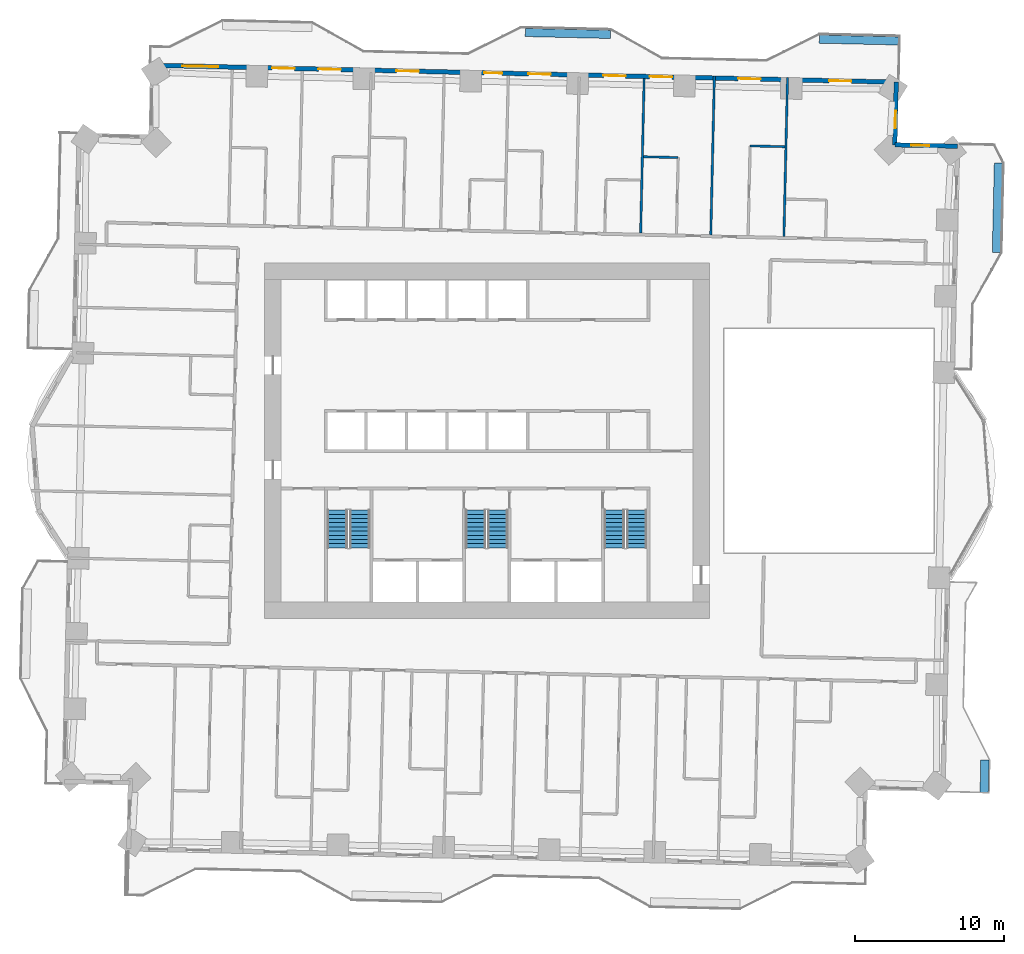
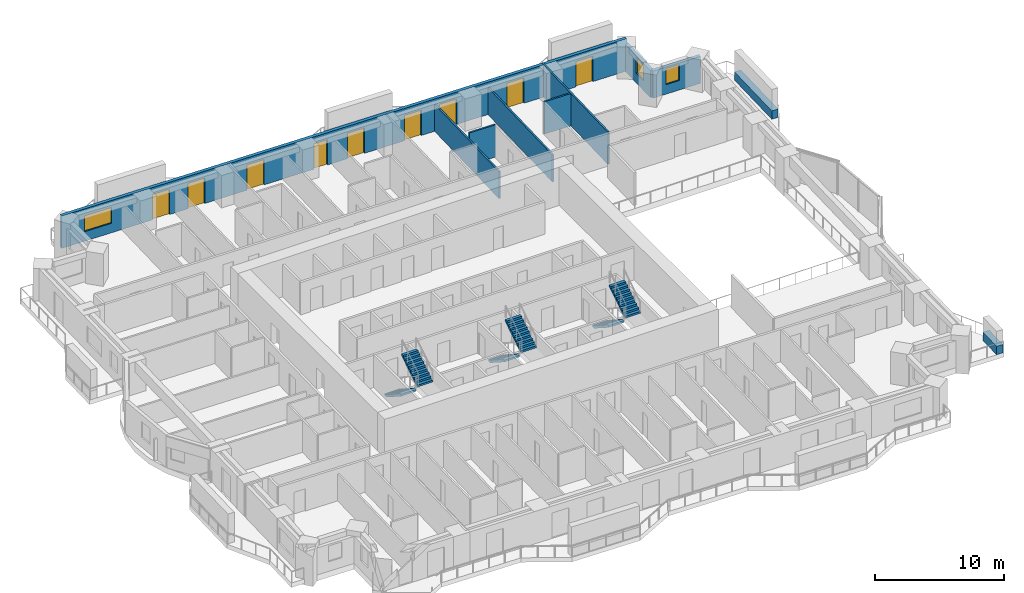
# One storey, part 13 of 18: 12 walls, 9 doors, 6 stair flights, 3 windows, 12 openings, 3 elements without a shape of their own.
"""IFC4 building model written with IfcOpenShell, lengths in metres."""

from ifc_helpers import new_model, si_unit, direction, frame, frame_2d, origin, place, context, subcontext, project, spatial, polyline, rectangle, outline, extrude, material, layer, layer_set, type_object, element, fill, aggregate, save


model = new_model("IFC4")

# Units and contexts
model_context = context("Model", 3, precision=1e-05, world=origin(), true_north=direction((0.0, 1.0)))
body_context = subcontext(model_context, "Body", "Model", "MODEL_VIEW")
ifc_project = project(units=[si_unit("LENGTHUNIT", "METRE"), si_unit("AREAUNIT", "SQUARE_METRE"), si_unit("VOLUMEUNIT", "CUBIC_METRE"), si_unit("PLANEANGLEUNIT", "RADIAN"), si_unit("MASSUNIT", "GRAM", prefix="KILO")], contexts=[model_context])

# Site, building, storey
site_placement = place(None, origin())
site = spatial("IfcSite", under=ifc_project, at=site_placement, CompositionType="ELEMENT")
building_placement = place(site_placement, origin())
building = spatial("IfcBuilding", under=site, at=building_placement, Name="Mangrove Gate Tower", CompositionType="ELEMENT")
storey_placement = place(building_placement, frame((0.0, 0.0, 71.10009765625)))
storey = spatial("IfcBuildingStorey", under=building, at=storey_placement, Name="L17", CompositionType="ELEMENT", Elevation=71.10009765625)

# Wall, opening, window
ifc_material_1 = material(Name="Limestone", Category="masonry")
ifc_layer_1 = layer(ifc_material_1, 0.0400390625, Name="Limestone cladding")
ifc_material_2 = material(Name="Ventilated air gap")
ifc_layer_2 = layer(ifc_material_2, 0.0400390625, Name="Ventilated cavity")
ifc_material_3 = material(Name="Mineral wool insulation")
ifc_layer_3 = layer(ifc_material_3, 0.06005859375, Name="Insulation")
ifc_material_4 = material(Name="Breather membrane")
ifc_layer_4 = layer(ifc_material_4, 0.001953125, Name="Breather membrane")
ifc_material_5 = material(Name="Concrete C20/25 blockwork", Category="masonry")
ifc_layer_5 = layer(ifc_material_5, 0.14990234375, Name="Blockwork backing wall")
ifc_material_6 = material(Name="Gypsum plaster")
ifc_layer_6 = layer(ifc_material_6, 0.008056640625, Name="Internal plaster")
ifc_layer_set_1 = layer_set([ifc_layer_1, ifc_layer_2, ifc_layer_3, ifc_layer_4, ifc_layer_5, ifc_layer_6], Name="External wall 300 limestone cladding")
wall_type_1 = type_object("IfcWallType", Name="External wall 300 limestone cladding", PredefinedType="SOLIDWALL", material=ifc_layer_set_1)
wall_1_placement = place(storey_placement, frame((31.510986328125, 19.72705078125, 0.0), z_axis=(0.0, 0.0, 1.0), x_axis=(-0.999744320311, 0.022611811187, 0.0)))
wall_1 = element("IfcWall", 1, at=wall_1_placement, inside=storey, type_object=wall_type_1, Name="WALL-L17-N3", PredefinedType="SOLIDWALL", context=body_context, shape_type="SweptSolid", body=[
    extrude(rectangle(XDim=4.199951171875, YDim=0.300048828125, at=frame_2d((2.10009765625, 0.0))), origin(), (0.0, 0.0, 1.0), 2.5498046875),
])
opening_1_placement = place(wall_1_placement, frame((1.884033203125, 0.0, 0.89990234375)))
opening_1 = element("IfcOpeningElement", 2, at=opening_1_placement, cuts=wall_1, Name="Opening W1", PredefinedType="OPENING", context=body_context, shape_type="SweptSolid", body=[
    extrude(rectangle(XDim=1.199951171875, YDim=1.5, at=frame_2d((0.60009765625, 0.75))), frame((0.0, 0.159912109375, 0.0), z_axis=(0.0, -1.0, 0.0), x_axis=(1.0, 0.0, 0.0)), (0.0, 0.0, 1.0), 0.320068359375),
])
ifc_material_7 = material(Name="Aluminium frame with double-glazed low-e glass", Category="aluminium")
window_type_1 = type_object("IfcWindowType", Name="Side lite 1200x1500", PartitioningType="SINGLE_PANEL", PredefinedType="WINDOW", material=ifc_material_7)
window_1_placement = place(opening_1_placement, origin())
window_1 = element("IfcWindow", 3, at=window_1_placement, inside=storey, type_object=window_type_1, Name="WIN-L17-N3-1", OverallHeight=1.5, OverallWidth=1.199951171875, PartitioningType="SINGLE_PANEL", PredefinedType="WINDOW", context=body_context, shape_type="SweptSolid", body=[
    extrude(rectangle(XDim=1.199951171875, YDim=1.5, at=frame_2d((0.60009765625, 0.75))), frame((0.0, 0.030029296875, 0.0), z_axis=(0.0, -1.0, 0.0), x_axis=(1.0, 0.0, 0.0)), (0.0, 0.0, 1.0), 0.06005859375),
])
fill(opening_1, window_1)

wall_2_placement = place(storey_placement, frame((27.31201171875, 19.822021484375, 0.0), z_axis=(0.0, 0.0, 1.0), x_axis=(0.022611811187, 0.999744320311, 0.0)))
wall_2 = element("IfcWall", 4, at=wall_2_placement, inside=storey, type_object=wall_type_1, Name="WALL-L17-E4", PredefinedType="SOLIDWALL", context=body_context, shape_type="SweptSolid", body=[
    extrude(rectangle(XDim=4.199951171875, YDim=0.300048828125, at=frame_2d((2.10009765625, 0.0))), origin(), (0.0, 0.0, 1.0), 2.5498046875),
])
opening_2_placement = place(wall_2_placement, frame((1.097900390625, 0.0, 0.89990234375)))
opening_2 = element("IfcOpeningElement", 5, at=opening_2_placement, cuts=wall_2, Name="Opening W1", PredefinedType="OPENING", context=body_context, shape_type="SweptSolid", body=[
    extrude(rectangle(XDim=1.199951171875, YDim=1.5, at=frame_2d((0.60009765625, 0.75))), frame((0.0, 0.159912109375, 0.0), z_axis=(0.0, -1.0, 0.0), x_axis=(1.0, 0.0, 0.0)), (0.0, 0.0, 1.0), 0.320068359375),
])
window_2_placement = place(opening_2_placement, origin())
window_2 = element("IfcWindow", 6, at=window_2_placement, inside=storey, type_object=window_type_1, Name="WIN-L17-E4-1", OverallHeight=1.5, OverallWidth=1.199951171875, PartitioningType="SINGLE_PANEL", PredefinedType="WINDOW", context=body_context, shape_type="SweptSolid", body=[
    extrude(rectangle(XDim=1.199951171875, YDim=1.5, at=frame_2d((0.60009765625, 0.75))), frame((0.0, 0.030029296875, 0.0), z_axis=(0.0, -1.0, 0.0), x_axis=(1.0, 0.0, 0.0)), (0.0, 0.0, 1.0), 0.06005859375),
])
fill(opening_2, window_2)

# Wall, openings, doors, window
wall_3_placement = place(storey_placement, frame((27.406982421875, 24.02099609375, 0.0), z_axis=(0.0, 0.0, 1.0), x_axis=(-0.99974239923, 0.022696589664, 0.0)))
wall_3 = element("IfcWall", 7, at=wall_3_placement, inside=storey, type_object=wall_type_1, Name="WALL-L17-N5", PredefinedType="SOLIDWALL", context=body_context, shape_type="SweptSolid", body=[
    extrude(rectangle(XDim=49.8359375, YDim=0.300048828125, at=frame_2d((24.91796875, 0.0))), origin(), (0.0, 0.0, 1.0), 3.0498046875),
])
opening_3_placement = place(wall_3_placement, frame((2.998046875, 0.0, 0.0)))
opening_3 = element("IfcOpeningElement", 8, at=opening_3_placement, cuts=wall_3, Name="Opening BD1", PredefinedType="OPENING", context=body_context, shape_type="SweptSolid", body=[
    extrude(rectangle(XDim=1.5, YDim=2.39990234375, at=frame_2d((0.75, 1.199951171875))), frame((0.0, 0.159912109375, 0.0), z_axis=(0.0, -1.0, 0.0), x_axis=(1.0, 0.0, 0.0)), (0.0, 0.0, 1.0), 0.320068359375),
])
opening_4_placement = place(wall_3_placement, frame((9.0859375, 0.0, 0.0)))
opening_4 = element("IfcOpeningElement", 9, at=opening_4_placement, cuts=wall_3, Name="Opening BD1", PredefinedType="OPENING", context=body_context, shape_type="SweptSolid", body=[
    extrude(rectangle(XDim=1.5, YDim=2.39990234375, at=frame_2d((0.75, 1.199951171875))), frame((0.0, 0.159912109375, 0.0), z_axis=(0.0, -1.0, 0.0), x_axis=(1.0, 0.0, 0.0)), (0.0, 0.0, 1.0), 0.320068359375),
])
opening_5_placement = place(wall_3_placement, frame((15.01708984375, 0.0, 0.0)))
opening_5 = element("IfcOpeningElement", 10, at=opening_5_placement, cuts=wall_3, Name="Opening BD1", PredefinedType="OPENING", context=body_context, shape_type="SweptSolid", body=[
    extrude(rectangle(XDim=1.5, YDim=2.39990234375, at=frame_2d((0.75, 1.199951171875))), frame((0.0, 0.159912109375, 0.0), z_axis=(0.0, -1.0, 0.0), x_axis=(1.0, 0.0, 0.0)), (0.0, 0.0, 1.0), 0.320068359375),
])
opening_6_placement = place(wall_3_placement, frame((18.1240234375, 0.0, 0.0)))
opening_6 = element("IfcOpeningElement", 11, at=opening_6_placement, cuts=wall_3, Name="Opening BD1", PredefinedType="OPENING", context=body_context, shape_type="SweptSolid", body=[
    extrude(rectangle(XDim=1.5, YDim=2.39990234375, at=frame_2d((0.75, 1.199951171875))), frame((0.0, 0.159912109375, 0.0), z_axis=(0.0, -1.0, 0.0), x_axis=(1.0, 0.0, 0.0)), (0.0, 0.0, 1.0), 0.320068359375),
])
opening_7_placement = place(wall_3_placement, frame((23.14892578125, 0.0, 0.0)))
opening_7 = element("IfcOpeningElement", 12, at=opening_7_placement, cuts=wall_3, Name="Opening BD1", PredefinedType="OPENING", context=body_context, shape_type="SweptSolid", body=[
    extrude(rectangle(XDim=1.5, YDim=2.39990234375, at=frame_2d((0.75, 1.199951171875))), frame((0.0, 0.159912109375, 0.0), z_axis=(0.0, -1.0, 0.0), x_axis=(1.0, 0.0, 0.0)), (0.0, 0.0, 1.0), 0.320068359375),
])
opening_8_placement = place(wall_3_placement, frame((26.405029296875, 0.0, 0.0)))
opening_8 = element("IfcOpeningElement", 13, at=opening_8_placement, cuts=wall_3, Name="Opening BD2", PredefinedType="OPENING", context=body_context, shape_type="SweptSolid", body=[
    extrude(rectangle(XDim=1.199951171875, YDim=2.39990234375, at=frame_2d((0.60009765625, 1.199951171875))), frame((0.0, 0.159912109375, 0.0), z_axis=(0.0, -1.0, 0.0), x_axis=(1.0, 0.0, 0.0)), (0.0, 0.0, 1.0), 0.320068359375),
])
opening_9_placement = place(wall_3_placement, frame((31.986083984375, 0.0, 0.0)))
opening_9 = element("IfcOpeningElement", 14, at=opening_9_placement, cuts=wall_3, Name="Opening BD1", PredefinedType="OPENING", context=body_context, shape_type="SweptSolid", body=[
    extrude(rectangle(XDim=1.5, YDim=2.39990234375, at=frame_2d((0.75, 1.199951171875))), frame((0.0, 0.159912109375, 0.0), z_axis=(0.0, -1.0, 0.0), x_axis=(1.0, 0.0, 0.0)), (0.0, 0.0, 1.0), 0.320068359375),
])
opening_10_placement = place(wall_3_placement, frame((37.2109375, 0.0, 0.0)))
opening_10 = element("IfcOpeningElement", 15, at=opening_10_placement, cuts=wall_3, Name="Opening BD1", PredefinedType="OPENING", context=body_context, shape_type="SweptSolid", body=[
    extrude(rectangle(XDim=1.5, YDim=2.39990234375, at=frame_2d((0.75, 1.199951171875))), frame((0.0, 0.159912109375, 0.0), z_axis=(0.0, -1.0, 0.0), x_axis=(1.0, 0.0, 0.0)), (0.0, 0.0, 1.0), 0.320068359375),
])
opening_11_placement = place(wall_3_placement, frame((40.31689453125, 0.0, 0.0)))
opening_11 = element("IfcOpeningElement", 16, at=opening_11_placement, cuts=wall_3, Name="Opening BD1", PredefinedType="OPENING", context=body_context, shape_type="SweptSolid", body=[
    extrude(rectangle(XDim=1.5, YDim=2.39990234375, at=frame_2d((0.75, 1.199951171875))), frame((0.0, 0.159912109375, 0.0), z_axis=(0.0, -1.0, 0.0), x_axis=(1.0, 0.0, 0.0)), (0.0, 0.0, 1.0), 0.320068359375),
])
opening_12_placement = place(wall_3_placement, frame((45.430908203125, 0.0, 0.89990234375)))
opening_12 = element("IfcOpeningElement", 17, at=opening_12_placement, cuts=wall_3, Name="Opening W2", PredefinedType="OPENING", context=body_context, shape_type="SweptSolid", body=[
    extrude(rectangle(XDim=2.39990234375, YDim=1.5, at=frame_2d((1.199951171875, 0.75))), frame((0.0, 0.159912109375, 0.0), z_axis=(0.0, -1.0, 0.0), x_axis=(1.0, 0.0, 0.0)), (0.0, 0.0, 1.0), 0.320068359375),
])
ifc_material_8 = material(Name="Aluminium frame with laminated clear glass", Category="aluminium")
door_type_1 = type_object("IfcDoorType", Name="Balcony sliding door 1200x2400", OperationType="SLIDING_TO_LEFT", PredefinedType="DOOR", material=ifc_material_8)
door_1_placement = place(opening_8_placement, origin())
door_1 = element("IfcDoor", 18, at=door_1_placement, inside=storey, type_object=door_type_1, Name="DOOR-L17-N5-6", OperationType="SLIDING_TO_LEFT", OverallHeight=2.39990234375, OverallWidth=1.199951171875, PredefinedType="DOOR", context=body_context, shape_type="SweptSolid", body=[
    extrude(rectangle(XDim=1.199951171875, YDim=2.39990234375, at=frame_2d((0.60009765625, 1.199951171875))), frame((0.0, 0.02490234375, 0.0), z_axis=(0.0, -1.0, 0.0), x_axis=(1.0, 0.0, 0.0)), (0.0, 0.0, 1.0), 0.050048828125),
])
fill(opening_8, door_1)
ifc_material_9 = material(Name="Aluminium frame with laminated clear glass", Category="aluminium")
door_type_2 = type_object("IfcDoorType", Name="Balcony sliding door 1500x2400", OperationType="SLIDING_TO_LEFT", PredefinedType="DOOR", material=ifc_material_9)
door_2_placement = place(opening_3_placement, origin())
door_2 = element("IfcDoor", 19, at=door_2_placement, inside=storey, type_object=door_type_2, Name="DOOR-L17-N5-1", OperationType="SLIDING_TO_LEFT", OverallHeight=2.39990234375, OverallWidth=1.5, PredefinedType="DOOR", context=body_context, shape_type="SweptSolid", body=[
    extrude(rectangle(XDim=1.5, YDim=2.39990234375, at=frame_2d((0.75, 1.199951171875))), frame((0.0, 0.02490234375, 0.0), z_axis=(0.0, -1.0, 0.0), x_axis=(1.0, 0.0, 0.0)), (0.0, 0.0, 1.0), 0.050048828125),
])
fill(opening_3, door_2)
door_3_placement = place(opening_4_placement, origin())
door_3 = element("IfcDoor", 20, at=door_3_placement, inside=storey, type_object=door_type_2, Name="DOOR-L17-N5-2", OperationType="SLIDING_TO_LEFT", OverallHeight=2.39990234375, OverallWidth=1.5, PredefinedType="DOOR", context=body_context, shape_type="SweptSolid", body=[
    extrude(rectangle(XDim=1.5, YDim=2.39990234375, at=frame_2d((0.75, 1.199951171875))), frame((0.0, 0.02490234375, 0.0), z_axis=(0.0, -1.0, 0.0), x_axis=(1.0, 0.0, 0.0)), (0.0, 0.0, 1.0), 0.050048828125),
])
fill(opening_4, door_3)
door_4_placement = place(opening_5_placement, origin())
door_4 = element("IfcDoor", 21, at=door_4_placement, inside=storey, type_object=door_type_2, Name="DOOR-L17-N5-3", OperationType="SLIDING_TO_LEFT", OverallHeight=2.39990234375, OverallWidth=1.5, PredefinedType="DOOR", context=body_context, shape_type="SweptSolid", body=[
    extrude(rectangle(XDim=1.5, YDim=2.39990234375, at=frame_2d((0.75, 1.199951171875))), frame((0.0, 0.02490234375, 0.0), z_axis=(0.0, -1.0, 0.0), x_axis=(1.0, 0.0, 0.0)), (0.0, 0.0, 1.0), 0.050048828125),
])
fill(opening_5, door_4)
door_5_placement = place(opening_6_placement, origin())
door_5 = element("IfcDoor", 22, at=door_5_placement, inside=storey, type_object=door_type_2, Name="DOOR-L17-N5-4", OperationType="SLIDING_TO_LEFT", OverallHeight=2.39990234375, OverallWidth=1.5, PredefinedType="DOOR", context=body_context, shape_type="SweptSolid", body=[
    extrude(rectangle(XDim=1.5, YDim=2.39990234375, at=frame_2d((0.75, 1.199951171875))), frame((0.0, 0.02490234375, 0.0), z_axis=(0.0, -1.0, 0.0), x_axis=(1.0, 0.0, 0.0)), (0.0, 0.0, 1.0), 0.050048828125),
])
fill(opening_6, door_5)
door_6_placement = place(opening_7_placement, origin())
door_6 = element("IfcDoor", 23, at=door_6_placement, inside=storey, type_object=door_type_2, Name="DOOR-L17-N5-5", OperationType="SLIDING_TO_LEFT", OverallHeight=2.39990234375, OverallWidth=1.5, PredefinedType="DOOR", context=body_context, shape_type="SweptSolid", body=[
    extrude(rectangle(XDim=1.5, YDim=2.39990234375, at=frame_2d((0.75, 1.199951171875))), frame((0.0, 0.02490234375, 0.0), z_axis=(0.0, -1.0, 0.0), x_axis=(1.0, 0.0, 0.0)), (0.0, 0.0, 1.0), 0.050048828125),
])
fill(opening_7, door_6)
door_7_placement = place(opening_9_placement, origin())
door_7 = element("IfcDoor", 24, at=door_7_placement, inside=storey, type_object=door_type_2, Name="DOOR-L17-N5-7", OperationType="SLIDING_TO_LEFT", OverallHeight=2.39990234375, OverallWidth=1.5, PredefinedType="DOOR", context=body_context, shape_type="SweptSolid", body=[
    extrude(rectangle(XDim=1.5, YDim=2.39990234375, at=frame_2d((0.75, 1.199951171875))), frame((0.0, 0.02490234375, 0.0), z_axis=(0.0, -1.0, 0.0), x_axis=(1.0, 0.0, 0.0)), (0.0, 0.0, 1.0), 0.050048828125),
])
fill(opening_9, door_7)
door_8_placement = place(opening_10_placement, origin())
door_8 = element("IfcDoor", 25, at=door_8_placement, inside=storey, type_object=door_type_2, Name="DOOR-L17-N5-8", OperationType="SLIDING_TO_LEFT", OverallHeight=2.39990234375, OverallWidth=1.5, PredefinedType="DOOR", context=body_context, shape_type="SweptSolid", body=[
    extrude(rectangle(XDim=1.5, YDim=2.39990234375, at=frame_2d((0.75, 1.199951171875))), frame((0.0, 0.02490234375, 0.0), z_axis=(0.0, -1.0, 0.0), x_axis=(1.0, 0.0, 0.0)), (0.0, 0.0, 1.0), 0.050048828125),
])
fill(opening_10, door_8)
door_9_placement = place(opening_11_placement, origin())
door_9 = element("IfcDoor", 26, at=door_9_placement, inside=storey, type_object=door_type_2, Name="DOOR-L17-N5-9", OperationType="SLIDING_TO_LEFT", OverallHeight=2.39990234375, OverallWidth=1.5, PredefinedType="DOOR", context=body_context, shape_type="SweptSolid", body=[
    extrude(rectangle(XDim=1.5, YDim=2.39990234375, at=frame_2d((0.75, 1.199951171875))), frame((0.0, 0.02490234375, 0.0), z_axis=(0.0, -1.0, 0.0), x_axis=(1.0, 0.0, 0.0)), (0.0, 0.0, 1.0), 0.050048828125),
])
fill(opening_11, door_9)
ifc_material_10 = material(Name="Aluminium frame with double-glazed low-e glass", Category="aluminium")
window_type_2 = type_object("IfcWindowType", Name="Corner room window 2400x1500", PartitioningType="DOUBLE_PANEL_VERTICAL", PredefinedType="WINDOW", material=ifc_material_10)
window_3_placement = place(opening_12_placement, origin())
window_3 = element("IfcWindow", 27, at=window_3_placement, inside=storey, type_object=window_type_2, Name="WIN-L17-N5-10", OverallHeight=1.5, OverallWidth=2.39990234375, PartitioningType="DOUBLE_PANEL_VERTICAL", PredefinedType="WINDOW", context=body_context, shape_type="SweptSolid", body=[
    extrude(rectangle(XDim=2.39990234375, YDim=1.5, at=frame_2d((1.199951171875, 0.75))), frame((0.0, 0.030029296875, 0.0), z_axis=(0.0, -1.0, 0.0), x_axis=(1.0, 0.0, 0.0)), (0.0, 0.0, 1.0), 0.06005859375),
])
fill(opening_12, window_3)

# Walls
ifc_material_11 = material(Name="Gypsum board on steel stud, EI 60", Category="steel")
ifc_layer_7 = layer(ifc_material_11, 0.14990234375)
ifc_layer_set_2 = layer_set([ifc_layer_7], Name="Party wall 150 EI 60")
wall_type_2 = type_object("IfcWallType", Name="Party wall 150 EI 60", PredefinedType="PARTITIONING", material=ifc_layer_set_2)
wall_4_placement = place(storey_placement, frame((10.284912109375, 13.906982421875, 0.0), z_axis=(0.0, 0.0, 1.0), x_axis=(0.022716582742, 0.999741945138, 0.0)))
element("IfcWall", 28, at=wall_4_placement, inside=storey, type_object=wall_type_2, Name="WALL-L17-072", PredefinedType="PARTITIONING", context=body_context, shape_type="SweptSolid", body=[
    extrude(rectangle(XDim=10.349609375, YDim=0.14990234375, at=frame_2d((5.1748046875, 0.0))), origin(), (0.0, 0.0, 1.0), 2.5498046875),
])
wall_5_placement = place(storey_placement, frame((14.98388671875, 13.800048828125, 0.0), z_axis=(0.0, 0.0, 1.0), x_axis=(0.022739109038, 0.999741433032, 0.0)))
element("IfcWall", 29, at=wall_5_placement, inside=storey, type_object=wall_type_2, Name="WALL-L17-074", PredefinedType="PARTITIONING", context=body_context, shape_type="SweptSolid", body=[
    extrude(rectangle(XDim=10.650634765625, YDim=0.14990234375, at=frame_2d((5.3251953125, 0.0))), origin(), (0.0, 0.0, 1.0), 2.5498046875),
])
wall_6_placement = place(storey_placement, frame((19.883056640625, 13.68896484375, 0.0), z_axis=(0.0, 0.0, 1.0), x_axis=(0.022626629517, 0.999743985047, 0.0)))
element("IfcWall", 30, at=wall_6_placement, inside=storey, type_object=wall_type_2, Name="WALL-L17-076", PredefinedType="PARTITIONING", context=body_context, shape_type="SweptSolid", body=[
    extrude(rectangle(XDim=10.649658203125, YDim=0.14990234375, at=frame_2d((5.32470703125, 0.0))), origin(), (0.0, 0.0, 1.0), 3.0498046875),
])
wall_7_placement = place(storey_placement, frame((10.47802734375, 19.02392578125, 0.0), z_axis=(0.0, 0.0, 1.0), x_axis=(0.999740478815, -0.022781023197, 0.0)))
element("IfcWall", 31, at=wall_7_placement, inside=storey, type_object=wall_type_2, Name="WALL-L17-083", PredefinedType="PARTITIONING", context=body_context, shape_type="SweptSolid", body=[
    extrude(rectangle(XDim=2.325439453125, YDim=0.14990234375, at=frame_2d((1.16259765625, 0.0))), origin(), (0.0, 0.0, 1.0), 3.0498046875),
])
wall_8_placement = place(storey_placement, frame((17.6220703125, 19.751953125, 0.0), z_axis=(0.0, 0.0, 1.0), x_axis=(0.999740260747, -0.02279059109, 0.0)))
element("IfcWall", 32, at=wall_8_placement, inside=storey, type_object=wall_type_2, Name="WALL-L17-086", PredefinedType="PARTITIONING", context=body_context, shape_type="SweptSolid", body=[
    extrude(rectangle(XDim=2.324462890625, YDim=0.14990234375, at=frame_2d((1.162109375, 0.0))), origin(), (0.0, 0.0, 1.0), 3.0498046875),
])
ifc_material_12 = material(Name="Concrete C32/40", Category="concrete")
ifc_layer_8 = layer(ifc_material_12, 0.199951171875, Name="Planter trough wall")
ifc_material_13 = material(Name="Bituminous waterproofing membrane")
ifc_layer_9 = layer(ifc_material_13, 0.0048828125, Name="Waterproofing")
ifc_material_14 = material(Name="Drainage board and gravel")
ifc_layer_10 = layer(ifc_material_14, 0.044921875, Name="Drainage layer")
ifc_material_15 = material(Name="Planting soil")
ifc_layer_11 = layer(ifc_material_15, 0.300048828125, Name="Growing medium")
ifc_layer_set_3 = layer_set([ifc_layer_8, ifc_layer_9, ifc_layer_10, ifc_layer_11], Name="Planter wall 550 C32/40")
wall_type_3 = type_object("IfcWallType", Name="Planter wall 550 C32/40", PredefinedType="USERDEFINED", material=ifc_layer_set_3)
wall_9_placement = place(storey_placement, frame((33.2939453125, -23.574951171875, 0.0), z_axis=(0.0, 0.0, 1.0), x_axis=(0.022754182687, 0.999741090068, 0.0)))
element("IfcWall", 33, at=wall_9_placement, inside=storey, type_object=wall_type_3, Name="PLANTER L17 E0.1", ObjectType="PLANTER", PredefinedType="USERDEFINED", context=body_context, shape_type="SweptSolid", body=[
    extrude(rectangle(XDim=2.199462890625, YDim=0.550048828125, at=frame_2d((1.099609375, 0.0))), origin(), (0.0, 0.0, 1.0), 0.7998046875),
])
wall_10_placement = place(storey_placement, frame((34.114990234375, 12.615966796875, 0.0), z_axis=(0.0, 0.0, 1.0), x_axis=(0.022665943652, 0.999743094499, 0.0)))
element("IfcWall", 34, at=wall_10_placement, inside=storey, type_object=wall_type_3, Name="PLANTER L17 E1.1", ObjectType="PLANTER", PredefinedType="USERDEFINED", context=body_context, shape_type="SweptSolid", body=[
    extrude(rectangle(XDim=5.99951171875, YDim=0.550048828125, at=frame_2d((2.999755859375, 0.0))), origin(), (0.0, 0.0, 1.0), 0.7998046875),
])
wall_11_placement = place(storey_placement, frame((2.55810546875, 27.35107421875, 0.0), z_axis=(0.0, 0.0, 1.0), x_axis=(0.999739419866, -0.022827447663, 0.0)))
element("IfcWall", 35, at=wall_11_placement, inside=storey, type_object=wall_type_3, Name="PLANTER L17 N0.1", ObjectType="PLANTER", PredefinedType="USERDEFINED", context=body_context, shape_type="SweptSolid", body=[
    extrude(rectangle(XDim=5.700439453125, YDim=0.550048828125, at=frame_2d((2.85009765625, 0.0))), origin(), (0.0, 0.0, 1.0), 0.7998046875),
])
wall_12_placement = place(storey_placement, frame((22.2529296875, 26.904052734375, 0.0), z_axis=(0.0, 0.0, 1.0), x_axis=(0.999741459769, -0.022737933492, 0.0)))
element("IfcWall", 36, at=wall_12_placement, inside=storey, type_object=wall_type_3, Name="PLANTER L17 N0.2", ObjectType="PLANTER", PredefinedType="USERDEFINED", context=body_context, shape_type="SweptSolid", body=[
    extrude(rectangle(XDim=5.36865234375, YDim=0.550048828125, at=frame_2d((2.684326171875, 0.0))), origin(), (0.0, 0.0, 1.0), 0.7998046875),
])

# Stair, stair flights
ifc_material_16 = material(Name="Concrete C40/50", Category="concrete")
stair_type = type_object("IfcStairType", Name="Core stair 1350", PredefinedType="HALF_TURN_STAIR", material=ifc_material_16)
stair_1_placement = place(storey_placement, origin())
stair_1 = element("IfcStair", 37, at=stair_1_placement, inside=storey, type_object=stair_type, Name="L17 Stair 1", PredefinedType="HALF_TURN_STAIR")
ifc_material_17 = material(Name="Concrete C40/50", Category="concrete")
stair_flight_type = type_object("IfcStairFlightType", Name="Core stair flight 1350", PredefinedType="STRAIGHT", material=ifc_material_17)
stair_flight_1_placement = place(storey_placement, frame((-10.02490234375, -4.64990234375, 0.0), z_axis=(0.0, 0.0, 1.0), x_axis=(0.0, -1.0, 0.0)))
stair_flight_1 = element("IfcStairFlight", 38, at=stair_flight_1_placement, type_object=stair_flight_type, Name="ST1 flight 1", NumberOfRisers=10, NumberOfTreads=9, PredefinedType="STRAIGHT", RiserHeight=0.18, TreadLength=0.28, context=body_context, shape_type="SweptSolid", body=[
    extrude(outline(polyline([(0.0, 0.0), (0.0, 0.179931640625), (0.280029296875, 0.179931640625), (0.280029296875, 0.360107421875), (0.56005859375, 0.360107421875), (0.56005859375, 0.5400390625), (0.840087890625, 0.5400390625), (0.840087890625, 0.719970703125), (1.1201171875, 0.719970703125), (1.1201171875, 0.89990234375), (1.39990234375, 0.89990234375), (1.39990234375, 1.080078125), (1.679931640625, 1.080078125), (1.679931640625, 1.260009765625), (1.9599609375, 1.260009765625), (1.9599609375, 1.43994140625), (2.239990234375, 1.43994140625), (2.239990234375, 1.6201171875), (2.52001953125, 1.6201171875), (2.52001953125, 1.800048828125), (2.52001953125, 1.44189453125), (0.277099609375, 0.0), (0.0, 0.0)])), frame((0.0, 0.675048828125, 0.0), z_axis=(0.0, -1.0, 0.0), x_axis=(1.0, 0.0, 0.0)), (0.0, 0.0, 1.0), 1.35009765625),
])
stair_flight_2_placement = place(storey_placement, frame((-8.52490234375, -7.169921875, 1.7998046875), z_axis=(0.0, 0.0, 1.0), x_axis=(0.0, 1.0, 0.0)))
stair_flight_2 = element("IfcStairFlight", 39, at=stair_flight_2_placement, type_object=stair_flight_type, Name="ST1 flight 2", NumberOfRisers=10, NumberOfTreads=9, PredefinedType="STRAIGHT", RiserHeight=0.18, TreadLength=0.28, context=body_context, shape_type="SweptSolid", body=[
    extrude(outline(polyline([(0.0, 0.0), (0.0, 0.179931640625), (0.280029296875, 0.179931640625), (0.280029296875, 0.360107421875), (0.56005859375, 0.360107421875), (0.56005859375, 0.5400390625), (0.840087890625, 0.5400390625), (0.840087890625, 0.719970703125), (1.1201171875, 0.719970703125), (1.1201171875, 0.89990234375), (1.39990234375, 0.89990234375), (1.39990234375, 1.080078125), (1.679931640625, 1.080078125), (1.679931640625, 1.260009765625), (1.9599609375, 1.260009765625), (1.9599609375, 1.43994140625), (2.239990234375, 1.43994140625), (2.239990234375, 1.6201171875), (2.52001953125, 1.6201171875), (2.52001953125, 1.800048828125), (2.52001953125, 1.44189453125), (0.277099609375, 0.0), (0.0, 0.0)])), frame((0.0, 0.675048828125, 0.0), z_axis=(0.0, -1.0, 0.0), x_axis=(1.0, 0.0, 0.0)), (0.0, 0.0, 1.0), 1.35009765625),
])
aggregate(stair_1, [stair_flight_1, stair_flight_2])

stair_2_placement = place(storey_placement, origin())
stair_2 = element("IfcStair", 40, at=stair_2_placement, inside=storey, type_object=stair_type, Name="L17 Stair 2", PredefinedType="HALF_TURN_STAIR")
stair_flight_3_placement = place(storey_placement, frame((-0.77490234375, -4.64990234375, 0.0), z_axis=(0.0, 0.0, 1.0), x_axis=(0.0, -1.0, 0.0)))
stair_flight_3 = element("IfcStairFlight", 41, at=stair_flight_3_placement, type_object=stair_flight_type, Name="ST2 flight 1", NumberOfRisers=10, NumberOfTreads=9, PredefinedType="STRAIGHT", RiserHeight=0.18, TreadLength=0.28, context=body_context, shape_type="SweptSolid", body=[
    extrude(outline(polyline([(0.0, 0.0), (0.0, 0.179931640625), (0.280029296875, 0.179931640625), (0.280029296875, 0.360107421875), (0.56005859375, 0.360107421875), (0.56005859375, 0.5400390625), (0.840087890625, 0.5400390625), (0.840087890625, 0.719970703125), (1.1201171875, 0.719970703125), (1.1201171875, 0.89990234375), (1.39990234375, 0.89990234375), (1.39990234375, 1.080078125), (1.679931640625, 1.080078125), (1.679931640625, 1.260009765625), (1.9599609375, 1.260009765625), (1.9599609375, 1.43994140625), (2.239990234375, 1.43994140625), (2.239990234375, 1.6201171875), (2.52001953125, 1.6201171875), (2.52001953125, 1.800048828125), (2.52001953125, 1.44189453125), (0.277099609375, 0.0), (0.0, 0.0)])), frame((0.0, 0.675048828125, 0.0), z_axis=(0.0, -1.0, 0.0), x_axis=(1.0, 0.0, 0.0)), (0.0, 0.0, 1.0), 1.35009765625),
])
stair_flight_4_placement = place(storey_placement, frame((0.72509765625, -7.169921875, 1.7998046875), z_axis=(0.0, 0.0, 1.0), x_axis=(0.0, 1.0, 0.0)))
stair_flight_4 = element("IfcStairFlight", 42, at=stair_flight_4_placement, type_object=stair_flight_type, Name="ST2 flight 2", NumberOfRisers=10, NumberOfTreads=9, PredefinedType="STRAIGHT", RiserHeight=0.18, TreadLength=0.28, context=body_context, shape_type="SweptSolid", body=[
    extrude(outline(polyline([(0.0, 0.0), (0.0, 0.179931640625), (0.280029296875, 0.179931640625), (0.280029296875, 0.360107421875), (0.56005859375, 0.360107421875), (0.56005859375, 0.5400390625), (0.840087890625, 0.5400390625), (0.840087890625, 0.719970703125), (1.1201171875, 0.719970703125), (1.1201171875, 0.89990234375), (1.39990234375, 0.89990234375), (1.39990234375, 1.080078125), (1.679931640625, 1.080078125), (1.679931640625, 1.260009765625), (1.9599609375, 1.260009765625), (1.9599609375, 1.43994140625), (2.239990234375, 1.43994140625), (2.239990234375, 1.6201171875), (2.52001953125, 1.6201171875), (2.52001953125, 1.800048828125), (2.52001953125, 1.44189453125), (0.277099609375, 0.0), (0.0, 0.0)])), frame((0.0, 0.675048828125, 0.0), z_axis=(0.0, -1.0, 0.0), x_axis=(1.0, 0.0, 0.0)), (0.0, 0.0, 1.0), 1.35009765625),
])
aggregate(stair_2, [stair_flight_3, stair_flight_4])

stair_3_placement = place(storey_placement, origin())
stair_3 = element("IfcStair", 43, at=stair_3_placement, inside=storey, type_object=stair_type, Name="L17 Stair 3", PredefinedType="HALF_TURN_STAIR")
stair_flight_5_placement = place(storey_placement, frame((8.52490234375, -4.64990234375, 0.0), z_axis=(0.0, 0.0, 1.0), x_axis=(0.0, -1.0, 0.0)))
stair_flight_5 = element("IfcStairFlight", 44, at=stair_flight_5_placement, type_object=stair_flight_type, Name="ST3 flight 1", NumberOfRisers=10, NumberOfTreads=9, PredefinedType="STRAIGHT", RiserHeight=0.18, TreadLength=0.28, context=body_context, shape_type="SweptSolid", body=[
    extrude(outline(polyline([(0.0, 0.0), (0.0, 0.179931640625), (0.280029296875, 0.179931640625), (0.280029296875, 0.360107421875), (0.56005859375, 0.360107421875), (0.56005859375, 0.5400390625), (0.840087890625, 0.5400390625), (0.840087890625, 0.719970703125), (1.1201171875, 0.719970703125), (1.1201171875, 0.89990234375), (1.39990234375, 0.89990234375), (1.39990234375, 1.080078125), (1.679931640625, 1.080078125), (1.679931640625, 1.260009765625), (1.9599609375, 1.260009765625), (1.9599609375, 1.43994140625), (2.239990234375, 1.43994140625), (2.239990234375, 1.6201171875), (2.52001953125, 1.6201171875), (2.52001953125, 1.800048828125), (2.52001953125, 1.44189453125), (0.277099609375, 0.0), (0.0, 0.0)])), frame((0.0, 0.675048828125, 0.0), z_axis=(0.0, -1.0, 0.0), x_axis=(1.0, 0.0, 0.0)), (0.0, 0.0, 1.0), 1.35009765625),
])
stair_flight_6_placement = place(storey_placement, frame((10.02490234375, -7.169921875, 1.7998046875), z_axis=(0.0, 0.0, 1.0), x_axis=(0.0, 1.0, 0.0)))
stair_flight_6 = element("IfcStairFlight", 45, at=stair_flight_6_placement, type_object=stair_flight_type, Name="ST3 flight 2", NumberOfRisers=10, NumberOfTreads=9, PredefinedType="STRAIGHT", RiserHeight=0.18, TreadLength=0.28, context=body_context, shape_type="SweptSolid", body=[
    extrude(outline(polyline([(0.0, 0.0), (0.0, 0.179931640625), (0.280029296875, 0.179931640625), (0.280029296875, 0.360107421875), (0.56005859375, 0.360107421875), (0.56005859375, 0.5400390625), (0.840087890625, 0.5400390625), (0.840087890625, 0.719970703125), (1.1201171875, 0.719970703125), (1.1201171875, 0.89990234375), (1.39990234375, 0.89990234375), (1.39990234375, 1.080078125), (1.679931640625, 1.080078125), (1.679931640625, 1.260009765625), (1.9599609375, 1.260009765625), (1.9599609375, 1.43994140625), (2.239990234375, 1.43994140625), (2.239990234375, 1.6201171875), (2.52001953125, 1.6201171875), (2.52001953125, 1.800048828125), (2.52001953125, 1.44189453125), (0.277099609375, 0.0), (0.0, 0.0)])), frame((0.0, 0.675048828125, 0.0), z_axis=(0.0, -1.0, 0.0), x_axis=(1.0, 0.0, 0.0)), (0.0, 0.0, 1.0), 1.35009765625),
])
aggregate(stair_3, [stair_flight_5, stair_flight_6])

save(model, "model.ifc")
